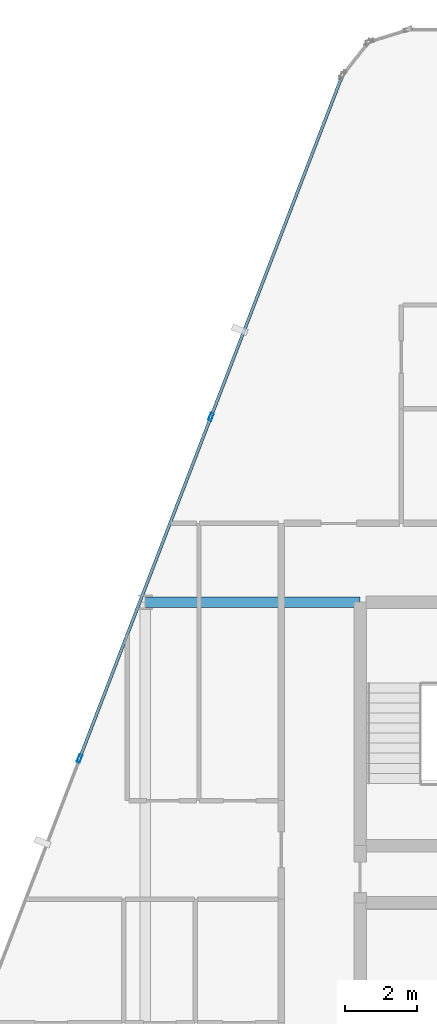
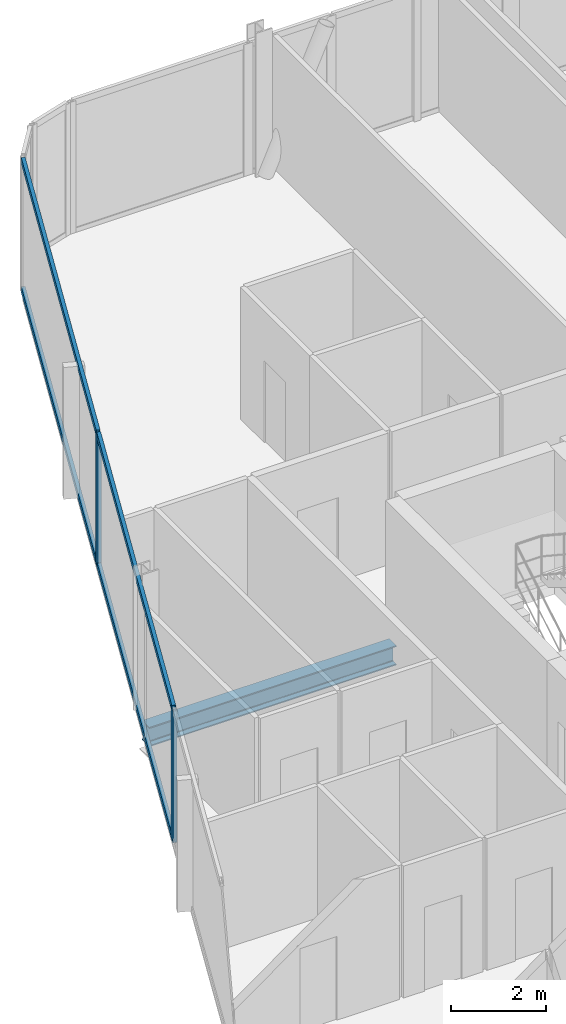
# One storey, part 12 of 34: 6 members, 1 beam, 1 element without a shape of its own.
"""IFC4 building model written with IfcOpenShell, lengths in metres."""

import ifcopenshell
import ifcopenshell.guid

model = None  # the IFC model being written
_history = None  # IfcOwnerHistory: only IFC2X3 demands one
_inside = {}  # id of a spatial element -> (the spatial element, [elements in it])
_under = {}  # id of a project, library or spatial element -> (it, [spatial elements below it])
_declared = {}  # id of a project -> (the project, [libraries it declares])
_typed = {}  # id of a type object -> (the type object, [elements of that type])
_made_of = {}  # id of a material, layer set ... -> (it, [elements and type objects made of it])


def new_model(schema):
    """Start an empty IFC model of exactly this schema.

    Asked for "IFC4X3", IfcOpenShell would pick the latest addendum, in which some entities
    have other attributes; the version numbers below select the first issue.
    IFC2X3 requires an IfcOwnerHistory on every rooted entity: one is made here for all.
    """
    global model, _history
    if schema == "IFC4X3":
        model = ifcopenshell.file(schema_version=(4, 3, 0, 0))
    else:
        model = ifcopenshell.file(schema=schema)
    _inside.clear()
    _under.clear()
    _declared.clear()
    _typed.clear()
    _made_of.clear()
    _history = None
    if model.schema == "IFC2X3":
        org = make("IfcOrganization", Name="unknown")
        user = make(
            "IfcPersonAndOrganization",
            ThePerson=make("IfcPerson", FamilyName="unknown"),
            TheOrganization=org,
        )
        app = make(
            "IfcApplication",
            ApplicationDeveloper=org,
            Version="unknown",
            ApplicationFullName="unknown",
            ApplicationIdentifier="unknown",
        )
        _history = make(
            "IfcOwnerHistory",
            OwningUser=user,
            OwningApplication=app,
            ChangeAction="ADDED",
            CreationDate=0,
        )
    return model


def make(cls, **values):
    """One entity of the class cls with the attributes given. An attribute that is None is left unset."""
    return model.create_entity(
        cls, **{name: value for name, value in values.items() if value is not None}
    )


def rooted(cls, **values):
    """An entity with a GlobalId (a new one), such as an element, a storey or a relation."""
    return make(cls, GlobalId=ifcopenshell.guid.new(), OwnerHistory=_history, **values)


def si_unit(unit_type, name, prefix=None):
    """IfcSIUnit, for example si_unit("LENGTHUNIT", "METRE", prefix="MILLI")."""
    return make("IfcSIUnit", UnitType=unit_type, Prefix=prefix, Name=name)


def assignment(units):
    """IfcUnitAssignment: the units of a project."""
    return None if units is None else make("IfcUnitAssignment", Units=units)


def point(xyz):
    """IfcCartesianPoint."""
    return None if xyz is None else make("IfcCartesianPoint", Coordinates=xyz)


def direction(xyz):
    """IfcDirection."""
    return None if xyz is None else make("IfcDirection", DirectionRatios=xyz)


def frame(location, z_axis=None, x_axis=None):
    """IfcAxis2Placement3D, a coordinate frame: its origin and axes. An axis left out is left unset."""
    return make(
        "IfcAxis2Placement3D",
        Location=point(location),
        Axis=direction(z_axis),
        RefDirection=direction(x_axis),
    )


def frame_2d(location, x_axis=None):
    """IfcAxis2Placement2D, a coordinate frame in the plane: its origin and x axis."""
    return make(
        "IfcAxis2Placement2D", Location=point(location), RefDirection=direction(x_axis)
    )


def origin():
    """The frame at (0, 0, 0) with its axes left unset."""
    return frame((0.0, 0.0, 0.0))


def origin_2d():
    """The frame at (0, 0) in the plane with its x axis left unset."""
    return frame_2d((0.0, 0.0))


def place(relative_to, where):
    """IfcLocalPlacement: puts the frame where relative to a parent placement (None: the world)."""
    return make(
        "IfcLocalPlacement", PlacementRelTo=relative_to, RelativePlacement=where
    )


def context(
    kind, dimensions, precision=None, world=None, true_north=None, identifier=None
):
    """IfcGeometricRepresentationContext, for example the 3D "Model" context."""
    return make(
        "IfcGeometricRepresentationContext",
        ContextIdentifier=identifier,
        ContextType=kind,
        CoordinateSpaceDimension=dimensions,
        Precision=precision,
        WorldCoordinateSystem=world,
        TrueNorth=true_north,
    )


def subcontext(parent, identifier, kind, view, scale=None):
    """IfcGeometricRepresentationSubContext, for example "Body" below "Model"."""
    return make(
        "IfcGeometricRepresentationSubContext",
        ContextIdentifier=identifier,
        ContextType=kind,
        ParentContext=parent,
        TargetScale=scale,
        TargetView=view,
    )


def project(units=None, contexts=None):
    """IfcProject with its units and contexts."""
    return rooted(
        "IfcProject",
        Name="project",
        RepresentationContexts=contexts,
        UnitsInContext=assignment(units),
    )


def spatial(cls, under=None, at=None, **own):
    """A site, building, storey or space (cls), placed at a placement, below another one or the project."""
    s = rooted(cls, ObjectPlacement=at, **own)
    if under is not None:
        _under.setdefault(under.id(), (under, []))[1].append(s)
    return s


def profile(cls, at=None, kind="AREA", **sizes):
    """A parametric profile (cls). Its sizes go by their IFC names, for example OverallWidth=200.0."""
    return make(cls, ProfileType=kind, Position=at, **sizes)


def hollow_rectangle(**sizes):
    """IfcRectangleHollowProfileDef."""
    return profile("IfcRectangleHollowProfileDef", **sizes)


def i_section(**sizes):
    """IfcIShapeProfileDef."""
    return profile("IfcIShapeProfileDef", **sizes)


def extrude(swept, where, along, depth):
    """IfcExtrudedAreaSolid: the profile swept, set in the frame where, extruded along a direction by depth."""
    return make(
        "IfcExtrudedAreaSolid",
        SweptArea=swept,
        Position=where,
        ExtrudedDirection=direction(along),
        Depth=depth,
    )


def shape(context_of_items, identifier, shape_type, items):
    """IfcShapeRepresentation: the items that make up one representation, for example the "Body"."""
    return make(
        "IfcShapeRepresentation",
        ContextOfItems=context_of_items,
        RepresentationIdentifier=identifier,
        RepresentationType=shape_type,
        Items=items,
    )


def material(Name=None, Category=None):
    """IfcMaterial."""
    return make("IfcMaterial", Name=Name, Category=Category)


def layer(
    of_material, thickness, ventilated=None, Name=None, Category=None, Priority=None
):
    """IfcMaterialLayer: one layer of a wall or slab, of a material (None: an air gap)."""
    return make(
        "IfcMaterialLayer",
        Material=of_material,
        LayerThickness=thickness,
        IsVentilated=ventilated,
        Name=Name,
        Category=Category,
        Priority=Priority,
    )


def layer_set(layers, Name=None):
    """IfcMaterialLayerSet."""
    return make("IfcMaterialLayerSet", MaterialLayers=layers, LayerSetName=Name)


def material_profile(
    of_material, cross_section, Name=None, Category=None, Priority=None
):
    """IfcMaterialProfile: a cross section and its material."""
    return make(
        "IfcMaterialProfile",
        Name=Name,
        Material=of_material,
        Profile=cross_section,
        Priority=Priority,
        Category=Category,
    )


def profile_set(profiles, Name=None, composite=None):
    """IfcMaterialProfileSet."""
    return make(
        "IfcMaterialProfileSet",
        Name=Name,
        MaterialProfiles=profiles,
        CompositeProfile=composite,
    )


def made_of(thing, what):
    """Note that an element or type object is made of a material, layer set ...; save() writes the relation."""
    if what is not None:
        _made_of.setdefault(what.id(), (what, []))[1].append(thing)
    return thing


def type_object(cls, material=None, **own):
    """A type object (cls), such as IfcWallType, which elements share."""
    return made_of(rooted(cls, **own), material)


def element(
    cls,
    number,
    at=None,
    inside=None,
    cuts=None,
    type_object=None,
    material=None,
    context=None,
    identifier="Body",
    shape_type=None,
    held_by="IfcProductDefinitionShape",
    body=None,
    shapes=None,
    **own,
):
    """One element of the class cls, such as IfcWall. Its Tag is "e" and its number.

    at: its placement. inside: the storey or other place that contains it. cuts: it is an
    opening in that element (IfcRelVoidsElement). A single representation is given by context,
    identifier, shape_type and body (its items); several are given by shapes. held_by: the class
    of the entity that holds the representations. save() writes the other relations.
    """
    e = rooted(cls, Tag="e%d" % number, ObjectPlacement=at, **own)
    if body is not None:
        shapes = [shape(context, identifier, shape_type, body)]
    if shapes is not None:
        e.Representation = make(held_by, Representations=shapes)
    if inside is not None:
        _inside.setdefault(inside.id(), (inside, []))[1].append(e)
    if cuts is not None:
        rooted(
            "IfcRelVoidsElement", RelatingBuildingElement=cuts, RelatedOpeningElement=e
        )
    if type_object is not None:
        _typed.setdefault(type_object.id(), (type_object, []))[1].append(e)
    return made_of(e, material)


def aggregate(whole, parts):
    """IfcRelAggregates: a whole, such as a stair, and the parts it consists of."""
    return rooted("IfcRelAggregates", RelatingObject=whole, RelatedObjects=parts)


def save(model, path):
    """Write the relations noted so far, then the file.

    IfcRelAggregates (storeys below a building ...), IfcRelContainedInSpatialStructure (elements
    in a storey), IfcRelDefinesByType, IfcRelAssociatesMaterial and IfcRelDeclares: one each for
    every whole, place, type object, material and project.
    """
    for whole, parts in _under.values():
        aggregate(whole, parts)
    for where, things in _inside.values():
        rooted(
            "IfcRelContainedInSpatialStructure",
            RelatedElements=things,
            RelatingStructure=where,
        )
    for kind, things in _typed.values():
        rooted("IfcRelDefinesByType", RelatedObjects=things, RelatingType=kind)
    for what, things in _made_of.values():
        rooted("IfcRelAssociatesMaterial", RelatedObjects=things, RelatingMaterial=what)
    for by, libraries in _declared.values():
        rooted("IfcRelDeclares", RelatingContext=by, RelatedDefinitions=libraries)
    model.write(path)


model = new_model("IFC4")

# Units and contexts
model_context = context("Model", 3, precision=1e-05, world=origin(), true_north=direction((0.0, 1.0)))
body_context = subcontext(model_context, "Body", "Model", "MODEL_VIEW")
ifc_project = project(units=[si_unit("LENGTHUNIT", "METRE"), si_unit("AREAUNIT", "SQUARE_METRE"), si_unit("VOLUMEUNIT", "CUBIC_METRE"), si_unit("PLANEANGLEUNIT", "RADIAN"), si_unit("MASSUNIT", "GRAM", prefix="KILO")], contexts=[model_context])

# Site, building, storey
site_placement = place(None, origin())
site = spatial("IfcSite", under=ifc_project, at=site_placement, CompositionType="ELEMENT")
building_placement = place(site_placement, origin())
building = spatial("IfcBuilding", under=site, at=building_placement, Name="Keshet Zoharim Tower", CompositionType="ELEMENT")
storey_placement = place(building_placement, frame((0.0, 0.0, 53.60009765625)))
storey = spatial("IfcBuildingStorey", under=building, at=storey_placement, Name="L12", CompositionType="ELEMENT", Elevation=53.60009765625)

# Beam
ifc_material_1 = material(Name="Steel S355", Category="steel")
ifc_material_profile_1 = material_profile(ifc_material_1, i_section(OverallWidth=0.300048828125, OverallDepth=0.5, WebThickness=0.014404296875, FlangeThickness=0.028076171875, FilletRadius=0.027099609375, at=origin_2d()), Name="HEB500")
ifc_profile_set_1 = profile_set([ifc_material_profile_1], Name="Steel S355")
beam_type = type_object("IfcBeamType", Name="BM-WEB-HB500", PredefinedType="BEAM", material=ifc_profile_set_1)
beam_placement = place(storey_placement, frame((9.0, 37.89990234375, -0.565185546875), z_axis=(1.0, 0.0, 0.0), x_axis=(0.0, 1.0, 0.0)))
element("IfcBeam", 1, at=beam_placement, inside=storey, type_object=beam_type, Name="L12 Primary Girder X-028", PredefinedType="BEAM", context=body_context, shape_type="SweptSolid", body=[
    extrude(i_section(OverallWidth=0.300048828125, OverallDepth=0.5, WebThickness=0.014404296875, FlangeThickness=0.028076171875, FilletRadius=0.027099609375, at=origin_2d()), origin(), (0.0, 0.0, 1.0), 6.0),
])

# Curtain wall, members
ifc_material_2 = material(Name="Aluminium 6063-T6", Category="aluminium")
ifc_layer = layer(ifc_material_2, 0.179931640625)
ifc_layer_set = layer_set([ifc_layer], Name="Aluminium 6063-T6")
curtain_wall_type = type_object("IfcCurtainWallType", Name="CW-SYS-01", PredefinedType="NOTDEFINED", material=ifc_layer_set)
curtain_wall_placement = place(storey_placement, origin())
curtain_wall = element("IfcCurtainWall", 2, at=curtain_wall_placement, inside=storey, type_object=curtain_wall_type, Name="L12 Unitised Curtain Wall 04", PredefinedType="NOTDEFINED")
ifc_material_profile_2 = material_profile(ifc_material_2, hollow_rectangle(XDim=0.090087890625, YDim=0.219970703125, WallThickness=0.0048828125, at=origin_2d()), Name="MUL-90x220")
ifc_profile_set_2 = profile_set([ifc_material_profile_2], Name="Aluminium 6063-T6")
member_type_1 = type_object("IfcMemberType", Name="CWM-M22", PredefinedType="MULLION", material=ifc_profile_set_2)
member_1_placement = place(storey_placement, frame((7.1669921875, 33.53466796875, 0.0), z_axis=(0.0, 0.0, 1.0), x_axis=(-0.933341404361, 0.358990003907, 0.0)))
member_1 = element("IfcMember", 3, at=member_1_placement, type_object=member_type_1, Name="CW-01 mullion 2", PredefinedType="MULLION", context=body_context, shape_type="SweptSolid", body=[
    extrude(hollow_rectangle(XDim=0.090087890625, YDim=0.219970703125, WallThickness=0.0048828125, at=origin_2d()), origin(), (0.0, 0.0, 1.0), 3.385009765625),
])
member_2_placement = place(storey_placement, frame((10.8369140625, 43.076416015625, 0.0), z_axis=(0.0, 0.0, 1.0), x_axis=(-0.933341404361, 0.358990003907, 0.0)))
member_2 = element("IfcMember", 4, at=member_2_placement, type_object=member_type_1, Name="CW-01 mullion 3", PredefinedType="MULLION", context=body_context, shape_type="SweptSolid", body=[
    extrude(hollow_rectangle(XDim=0.090087890625, YDim=0.219970703125, WallThickness=0.0048828125, at=origin_2d()), origin(), (0.0, 0.0, 1.0), 3.385009765625),
])
ifc_material_profile_3 = material_profile(ifc_material_2, hollow_rectangle(XDim=0.0849609375, YDim=0.159912109375, WallThickness=0.00439453125, at=origin_2d()), Name="TRN-85x160")
ifc_profile_set_3 = profile_set([ifc_material_profile_3], Name="Aluminium 6063-T6")
member_type_2 = type_object("IfcMemberType", Name="CWT-T16", PredefinedType="USERDEFINED", material=ifc_profile_set_3)
member_3_placement = place(storey_placement, frame((7.179443359375, 33.5673828125, 0.034912109375), z_axis=(0.359003248899, 0.933336309848, 0.0), x_axis=(-0.933336309848, 0.359003248899, 0.0)))
member_3 = element("IfcMember", 5, at=member_3_placement, type_object=member_type_2, Name="CW-01 transom 2.1", ObjectType="TRANSOM", PredefinedType="USERDEFINED", context=body_context, shape_type="SweptSolid", body=[
    extrude(hollow_rectangle(XDim=0.0849609375, YDim=0.159912109375, WallThickness=0.00439453125, at=origin_2d()), origin(), (0.0, 0.0, 1.0), 10.153076171875),
])
member_4_placement = place(storey_placement, frame((7.179443359375, 33.5673828125, 3.349853515625), z_axis=(0.359003248899, 0.933336309848, 0.0), x_axis=(-0.933336309848, 0.359003248899, 0.0)))
member_4 = element("IfcMember", 6, at=member_4_placement, type_object=member_type_2, Name="CW-01 transom 2.2", ObjectType="TRANSOM", PredefinedType="USERDEFINED", context=body_context, shape_type="SweptSolid", body=[
    extrude(hollow_rectangle(XDim=0.0849609375, YDim=0.159912109375, WallThickness=0.00439453125, at=origin_2d()), origin(), (0.0, 0.0, 1.0), 10.153076171875),
])
member_5_placement = place(storey_placement, frame((10.849609375, 43.10888671875, 0.034912109375), z_axis=(0.358985546764, 0.933343118694, 0.0), x_axis=(-0.933343118694, 0.358985546764, 0.0)))
member_5 = element("IfcMember", 7, at=member_5_placement, type_object=member_type_2, Name="CW-01 transom 3.1", ObjectType="TRANSOM", PredefinedType="USERDEFINED", context=body_context, shape_type="SweptSolid", body=[
    extrude(hollow_rectangle(XDim=0.0849609375, YDim=0.159912109375, WallThickness=0.00439453125, at=origin_2d()), origin(), (0.0, 0.0, 1.0), 10.118408203125),
])
member_6_placement = place(storey_placement, frame((10.849609375, 43.10888671875, 3.349853515625), z_axis=(0.358985546764, 0.933343118694, 0.0), x_axis=(-0.933343118694, 0.358985546764, 0.0)))
member_6 = element("IfcMember", 8, at=member_6_placement, type_object=member_type_2, Name="CW-01 transom 3.2", ObjectType="TRANSOM", PredefinedType="USERDEFINED", context=body_context, shape_type="SweptSolid", body=[
    extrude(hollow_rectangle(XDim=0.0849609375, YDim=0.159912109375, WallThickness=0.00439453125, at=origin_2d()), origin(), (0.0, 0.0, 1.0), 10.118408203125),
])
aggregate(curtain_wall, [member_1, member_2, member_3, member_4, member_5, member_6])

save(model, "model.ifc")
